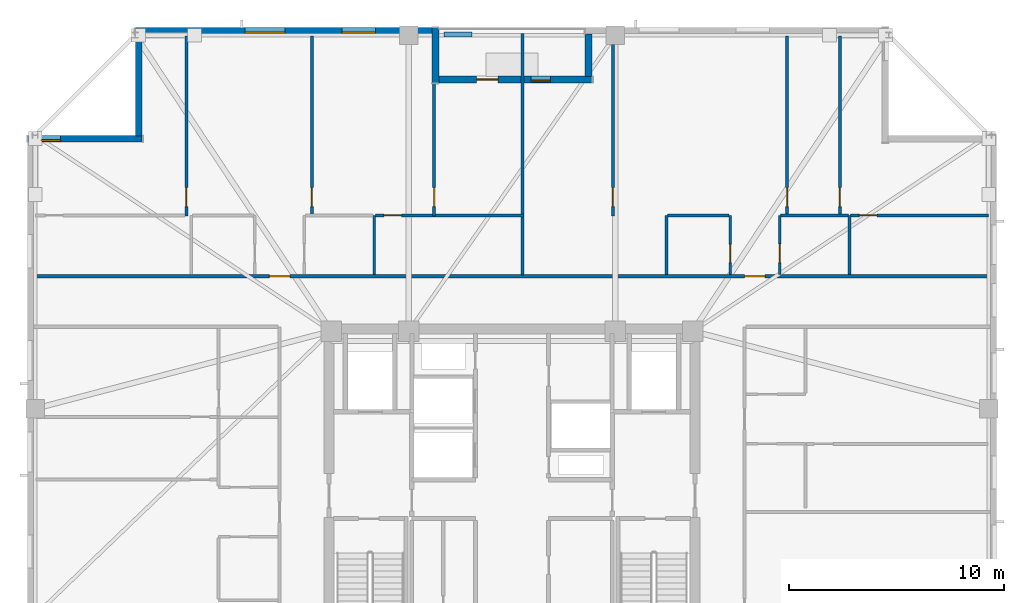
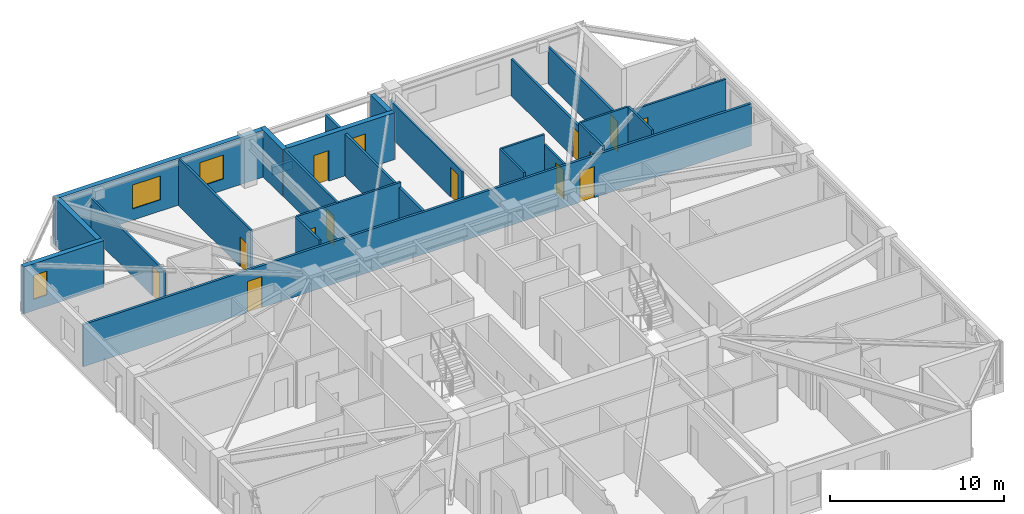
# One storey, part 11 of 17: 24 walls, 13 doors, 4 windows, 17 openings.
"""IFC4 building model written with IfcOpenShell, lengths in metres."""

from ifc_helpers import new_model, si_unit, direction, frame, frame_2d, origin, place, context, subcontext, project, spatial, rectangle, extrude, material, layer, layer_set, type_object, element, fill, save


model = new_model("IFC4")

# Units and contexts
model_context = context("Model", 3, precision=1e-05, world=origin(), true_north=direction((0.0, 1.0)))
body_context = subcontext(model_context, "Body", "Model", "MODEL_VIEW")
ifc_project = project(units=[si_unit("LENGTHUNIT", "METRE"), si_unit("AREAUNIT", "SQUARE_METRE"), si_unit("VOLUMEUNIT", "CUBIC_METRE"), si_unit("PLANEANGLEUNIT", "RADIAN"), si_unit("MASSUNIT", "GRAM", prefix="KILO")], contexts=[model_context])

# Site, building, storey
site_placement = place(None, origin())
site = spatial("IfcSite", under=ifc_project, at=site_placement, CompositionType="ELEMENT")
building_placement = place(site_placement, origin())
building = spatial("IfcBuilding", under=site, at=building_placement, Name="Cairnveth Concourse Tower", CompositionType="ELEMENT")
storey_placement = place(building_placement, frame((0.0, 0.0, 209.5)))
storey = spatial("IfcBuildingStorey", under=building, at=storey_placement, Name="L57", CompositionType="ELEMENT", Elevation=209.5)

# Wall, openings, doors
ifc_material_1 = material(Name="Gypsum Plasterboard Partition", Category="gypsum")
ifc_layer_1 = layer(ifc_material_1, 0.159912109375)
ifc_layer_set_1 = layer_set([ifc_layer_1], Name="Gypsum Plasterboard Partition")
wall_type_1 = type_object("IfcWallType", Name="ACOUSTIC PARTY WALL 180", PredefinedType="PARTITIONING", material=ifc_layer_set_1)
wall_1_placement = place(storey_placement, frame((29.804931640625, 49.949951171875, 0.0), z_axis=(0.0, 0.0, 1.0), x_axis=(1.0, 0.0, 0.0)))
wall_1 = element("IfcWall", 1, at=wall_1_placement, inside=storey, type_object=wall_type_1, Name="Interior Wall IW-L57-036", PredefinedType="PARTITIONING", context=body_context, shape_type="SweptSolid", body=[
    extrude(rectangle(XDim=44.39013671875, YDim=0.159912109375, at=frame_2d((22.195068359375, 0.0))), origin(), (0.0, 0.0, 1.0), 2.9580078125),
])
opening_1_placement = place(wall_1_placement, frame((10.918701171875, 0.0, 0.0)))
opening_1 = element("IfcOpeningElement", 2, at=opening_1_placement, cuts=wall_1, Name="Opening ID10", PredefinedType="OPENING", context=body_context, shape_type="SweptSolid", body=[
    extrude(rectangle(XDim=0.9599609375, YDim=2.179931640625, at=frame_2d((0.47998046875, 1.08984375))), frame((0.0, 0.08984375, 0.0), z_axis=(0.0, -1.0, 0.0), x_axis=(1.0, 0.0, 0.0)), (0.0, 0.0, 1.0), 0.179931640625),
])
opening_2_placement = place(wall_1_placement, frame((32.998779296875, 0.0, 0.0)))
opening_2 = element("IfcOpeningElement", 3, at=opening_2_placement, cuts=wall_1, Name="Opening ID10", PredefinedType="OPENING", context=body_context, shape_type="SweptSolid", body=[
    extrude(rectangle(XDim=0.9599609375, YDim=2.179931640625, at=frame_2d((0.47998046875, 1.08984375))), frame((0.0, 0.08984375, 0.0), z_axis=(0.0, -1.0, 0.0), x_axis=(1.0, 0.0, 0.0)), (0.0, 0.0, 1.0), 0.179931640625),
])
ifc_material_2 = material(Name="Solid Core Hardwood Timber Leaf", Category="wood")
door_type_1 = type_object("IfcDoorType", Name="FLAT ENTRANCE DOOR 960X2150", OperationType="NOTDEFINED", PredefinedType="DOOR", material=ifc_material_2)
door_1_placement = place(opening_1_placement, origin())
door_1 = element("IfcDoor", 4, at=door_1_placement, inside=storey, type_object=door_type_1, Name="Apartment L57N1 Entrance Door", OperationType="SINGLE_SWING_LEFT", OverallHeight=2.179931640625, OverallWidth=0.9599609375, PredefinedType="DOOR", context=body_context, shape_type="SweptSolid", body=[
    extrude(rectangle(XDim=0.9599609375, YDim=2.179931640625, at=frame_2d((0.47998046875, 1.08984375))), frame((0.0, 0.02490234375, 0.0), z_axis=(0.0, -1.0, 0.0), x_axis=(1.0, 0.0, 0.0)), (0.0, 0.0, 1.0), 0.050048828125),
])
fill(opening_1, door_1)
door_2_placement = place(opening_2_placement, origin())
door_2 = element("IfcDoor", 5, at=door_2_placement, inside=storey, type_object=door_type_1, Name="Apartment L57N2 Entrance Door", OperationType="SINGLE_SWING_RIGHT", OverallHeight=2.179931640625, OverallWidth=0.9599609375, PredefinedType="DOOR", context=body_context, shape_type="SweptSolid", body=[
    extrude(rectangle(XDim=0.9599609375, YDim=2.179931640625, at=frame_2d((0.47998046875, 1.08984375))), frame((0.0, 0.02490234375, 0.0), z_axis=(0.0, -1.0, 0.0), x_axis=(1.0, 0.0, 0.0)), (0.0, 0.0, 1.0), 0.050048828125),
])
fill(opening_2, door_2)

# Wall
wall_2_placement = place(storey_placement, frame((52.487548828125, 50.014892578125, 0.0), z_axis=(0.0, 0.0, 1.0), x_axis=(0.0, 1.0, 0.0)))
element("IfcWall", 6, at=wall_2_placement, inside=storey, type_object=wall_type_1, Name="Interior Wall IW-L57-077", PredefinedType="PARTITIONING", context=body_context, shape_type="SweptSolid", body=[
    extrude(rectangle(XDim=11.215087890625, YDim=0.159912109375, at=frame_2d((5.607421875, 0.0))), origin(), (0.0, 0.0, 1.0), 2.9580078125),
])

# Wall, opening, door
ifc_layer_2 = layer(ifc_material_1, 0.139892578125)
ifc_layer_set_2 = layer_set([ifc_layer_2], Name="Gypsum Plasterboard Partition")
wall_type_2 = type_object("IfcWallType", Name="GYPSUM STUD PARTITION 140", PredefinedType="PARTITIONING", material=ifc_layer_set_2)
wall_3_placement = place(storey_placement, frame((36.8701171875, 52.739990234375, 0.0), z_axis=(0.0, 0.0, 1.0), x_axis=(0.0, 1.0, 0.0)))
wall_3 = element("IfcWall", 7, at=wall_3_placement, inside=storey, type_object=wall_type_2, Name="Interior Wall IW-L57-072", PredefinedType="PARTITIONING", context=body_context, shape_type="SweptSolid", body=[
    extrude(rectangle(XDim=8.380126953125, YDim=0.139892578125, at=frame_2d((4.18994140625, 0.0))), origin(), (0.0, 0.0, 1.0), 2.572998046875),
])
opening_3_placement = place(wall_3_placement, frame((0.449951171875, 0.0, 0.0)))
opening_3 = element("IfcOpeningElement", 8, at=opening_3_placement, cuts=wall_3, Name="Opening ID18", PredefinedType="OPENING", context=body_context, shape_type="SweptSolid", body=[
    extrude(rectangle(XDim=0.8798828125, YDim=2.10009765625, at=frame_2d((0.43994140625, 1.050048828125))), frame((0.0, 0.079833984375, 0.0), z_axis=(0.0, -1.0, 0.0), x_axis=(1.0, 0.0, 0.0)), (0.0, 0.0, 1.0), 0.159912109375),
])
door_type_2 = type_object("IfcDoorType", Name="INTERIOR SINGLE DOOR 880X2100", OperationType="NOTDEFINED", PredefinedType="DOOR", material=ifc_material_2)
door_3_placement = place(opening_3_placement, origin())
door_3 = element("IfcDoor", 9, at=door_3_placement, inside=storey, type_object=door_type_2, Name="L57N1 Master Bedroom Door", OperationType="SINGLE_SWING_LEFT", OverallHeight=2.10009765625, OverallWidth=0.8798828125, PredefinedType="DOOR", context=body_context, shape_type="SweptSolid", body=[
    extrude(rectangle(XDim=0.8798828125, YDim=2.10009765625, at=frame_2d((0.43994140625, 1.050048828125))), frame((0.0, 0.02490234375, 0.0), z_axis=(0.0, -1.0, 0.0), x_axis=(1.0, 0.0, 0.0)), (0.0, 0.0, 1.0), 0.050048828125),
])
fill(opening_3, door_3)

wall_4_placement = place(storey_placement, frame((48.387451171875, 52.739990234375, 0.0), z_axis=(0.0, 0.0, 1.0), x_axis=(0.0, 1.0, 0.0)))
wall_4 = element("IfcWall", 10, at=wall_4_placement, inside=storey, type_object=wall_type_2, Name="Interior Wall IW-L57-074", PredefinedType="PARTITIONING", context=body_context, shape_type="SweptSolid", body=[
    extrude(rectangle(XDim=6.199951171875, YDim=0.139892578125, at=frame_2d((3.10009765625, 0.0))), origin(), (0.0, 0.0, 1.0), 3.2900390625),
])
opening_4_placement = place(wall_4_placement, frame((0.449951171875, 0.0, 0.0)))
opening_4 = element("IfcOpeningElement", 11, at=opening_4_placement, cuts=wall_4, Name="Opening ID18", PredefinedType="OPENING", context=body_context, shape_type="SweptSolid", body=[
    extrude(rectangle(XDim=0.8798828125, YDim=2.10009765625, at=frame_2d((0.43994140625, 1.050048828125))), frame((0.0, 0.079833984375, 0.0), z_axis=(0.0, -1.0, 0.0), x_axis=(1.0, 0.0, 0.0)), (0.0, 0.0, 1.0), 0.159912109375),
])
door_4_placement = place(opening_4_placement, origin())
door_4 = element("IfcDoor", 12, at=door_4_placement, inside=storey, type_object=door_type_2, Name="L57N1 Bedroom 2 Door", OperationType="SINGLE_SWING_LEFT", OverallHeight=2.10009765625, OverallWidth=0.8798828125, PredefinedType="DOOR", context=body_context, shape_type="SweptSolid", body=[
    extrude(rectangle(XDim=0.8798828125, YDim=2.10009765625, at=frame_2d((0.43994140625, 1.050048828125))), frame((0.0, 0.02490234375, 0.0), z_axis=(0.0, -1.0, 0.0), x_axis=(1.0, 0.0, 0.0)), (0.0, 0.0, 1.0), 0.050048828125),
])
fill(opening_4, door_4)

wall_5_placement = place(storey_placement, frame((45.65380859375, 52.780029296875, 0.0), z_axis=(0.0, 0.0, 1.0), x_axis=(1.0, 0.0, 0.0)))
wall_5 = element("IfcWall", 13, at=wall_5_placement, inside=storey, type_object=wall_type_2, Name="Interior Wall IW-L57-075", PredefinedType="PARTITIONING", context=body_context, shape_type="SweptSolid", body=[
    extrude(rectangle(XDim=6.8837890625, YDim=0.139892578125, at=frame_2d((3.44189453125, 0.0))), origin(), (0.0, 0.0, 1.0), 3.2900390625),
])
opening_5_placement = place(wall_5_placement, frame((0.39990234375, 0.0, 0.0)))
opening_5 = element("IfcOpeningElement", 14, at=opening_5_placement, cuts=wall_5, Name="Opening ID22", PredefinedType="OPENING", context=body_context, shape_type="SweptSolid", body=[
    extrude(rectangle(XDim=0.820068359375, YDim=2.10009765625, at=frame_2d((0.41015625, 1.050048828125))), frame((0.0, 0.079833984375, 0.0), z_axis=(0.0, -1.0, 0.0), x_axis=(1.0, 0.0, 0.0)), (0.0, 0.0, 1.0), 0.159912109375),
])
door_type_3 = type_object("IfcDoorType", Name="INTERIOR WC DOOR 820X2100", OperationType="NOTDEFINED", PredefinedType="DOOR", material=ifc_material_2)
door_5_placement = place(opening_5_placement, origin())
door_5 = element("IfcDoor", 15, at=door_5_placement, inside=storey, type_object=door_type_3, Name="L57N1 Utility Door", OperationType="SINGLE_SWING_RIGHT", OverallHeight=2.10009765625, OverallWidth=0.820068359375, PredefinedType="DOOR", context=body_context, shape_type="SweptSolid", body=[
    extrude(rectangle(XDim=0.820068359375, YDim=2.10009765625, at=frame_2d((0.41015625, 1.050048828125))), frame((0.0, 0.02490234375, 0.0), z_axis=(0.0, -1.0, 0.0), x_axis=(1.0, 0.0, 0.0)), (0.0, 0.0, 1.0), 0.050048828125),
])
fill(opening_5, door_5)

wall_6_placement = place(storey_placement, frame((42.70361328125, 52.830078125, 0.0), z_axis=(0.0, 0.0, 1.0), x_axis=(0.0, 1.0, 0.0)))
wall_6 = element("IfcWall", 16, at=wall_6_placement, inside=storey, type_object=wall_type_2, Name="Interior Wall IW-L57-076", PredefinedType="PARTITIONING", context=body_context, shape_type="SweptSolid", body=[
    extrude(rectangle(XDim=8.2900390625, YDim=0.139892578125, at=frame_2d((4.14501953125, 0.0))), origin(), (0.0, 0.0, 1.0), 3.2900390625),
])
opening_6_placement = place(wall_6_placement, frame((0.360107421875, 0.0, 0.0)))
opening_6 = element("IfcOpeningElement", 17, at=opening_6_placement, cuts=wall_6, Name="Opening ID18", PredefinedType="OPENING", context=body_context, shape_type="SweptSolid", body=[
    extrude(rectangle(XDim=0.8798828125, YDim=2.10009765625, at=frame_2d((0.43994140625, 1.050048828125))), frame((0.0, 0.079833984375, 0.0), z_axis=(0.0, -1.0, 0.0), x_axis=(1.0, 0.0, 0.0)), (0.0, 0.0, 1.0), 0.159912109375),
])
door_6_placement = place(opening_6_placement, origin())
door_6 = element("IfcDoor", 18, at=door_6_placement, inside=storey, type_object=door_type_2, Name="L57N1 Media Lounge Door", OperationType="SINGLE_SWING_RIGHT", OverallHeight=2.10009765625, OverallWidth=0.8798828125, PredefinedType="DOOR", context=body_context, shape_type="SweptSolid", body=[
    extrude(rectangle(XDim=0.8798828125, YDim=2.10009765625, at=frame_2d((0.43994140625, 1.050048828125))), frame((0.0, 0.02490234375, 0.0), z_axis=(0.0, -1.0, 0.0), x_axis=(1.0, 0.0, 0.0)), (0.0, 0.0, 1.0), 0.050048828125),
])
fill(opening_6, door_6)

wall_7_placement = place(storey_placement, frame((56.6875, 52.739990234375, 0.0), z_axis=(0.0, 0.0, 1.0), x_axis=(0.0, 1.0, 0.0)))
wall_7 = element("IfcWall", 19, at=wall_7_placement, inside=storey, type_object=wall_type_2, Name="Interior Wall IW-L57-084", PredefinedType="PARTITIONING", context=body_context, shape_type="SweptSolid", body=[
    extrude(rectangle(XDim=8.380126953125, YDim=0.139892578125, at=frame_2d((4.18994140625, 0.0))), origin(), (0.0, 0.0, 1.0), 2.572998046875),
])
opening_7_placement = place(wall_7_placement, frame((0.449951171875, 0.0, 0.0)))
opening_7 = element("IfcOpeningElement", 20, at=opening_7_placement, cuts=wall_7, Name="Opening ID18", PredefinedType="OPENING", context=body_context, shape_type="SweptSolid", body=[
    extrude(rectangle(XDim=0.8798828125, YDim=2.10009765625, at=frame_2d((0.43994140625, 1.050048828125))), frame((0.0, 0.079833984375, 0.0), z_axis=(0.0, -1.0, 0.0), x_axis=(1.0, 0.0, 0.0)), (0.0, 0.0, 1.0), 0.159912109375),
])
door_7_placement = place(opening_7_placement, origin())
door_7 = element("IfcDoor", 21, at=door_7_placement, inside=storey, type_object=door_type_2, Name="L57N2 Master Bedroom Door", OperationType="SINGLE_SWING_RIGHT", OverallHeight=2.10009765625, OverallWidth=0.8798828125, PredefinedType="DOOR", context=body_context, shape_type="SweptSolid", body=[
    extrude(rectangle(XDim=0.8798828125, YDim=2.10009765625, at=frame_2d((0.43994140625, 1.050048828125))), frame((0.0, 0.02490234375, 0.0), z_axis=(0.0, -1.0, 0.0), x_axis=(1.0, 0.0, 0.0)), (0.0, 0.0, 1.0), 0.050048828125),
])
fill(opening_7, door_7)

wall_8_placement = place(storey_placement, frame((67.22998046875, 52.830078125, 0.0), z_axis=(0.0, 0.0, 1.0), x_axis=(0.0, 1.0, 0.0)))
wall_8 = element("IfcWall", 22, at=wall_8_placement, inside=storey, type_object=wall_type_2, Name="Interior Wall IW-L57-085", PredefinedType="PARTITIONING", context=body_context, shape_type="SweptSolid", body=[
    extrude(rectangle(XDim=8.2900390625, YDim=0.139892578125, at=frame_2d((4.14501953125, 0.0))), origin(), (0.0, 0.0, 1.0), 2.572998046875),
])
opening_8_placement = place(wall_8_placement, frame((0.360107421875, 0.0, 0.0)))
opening_8 = element("IfcOpeningElement", 23, at=opening_8_placement, cuts=wall_8, Name="Opening ID18", PredefinedType="OPENING", context=body_context, shape_type="SweptSolid", body=[
    extrude(rectangle(XDim=0.8798828125, YDim=2.10009765625, at=frame_2d((0.43994140625, 1.050048828125))), frame((0.0, 0.079833984375, 0.0), z_axis=(0.0, -1.0, 0.0), x_axis=(1.0, 0.0, 0.0)), (0.0, 0.0, 1.0), 0.159912109375),
])
door_8_placement = place(opening_8_placement, origin())
door_8 = element("IfcDoor", 24, at=door_8_placement, inside=storey, type_object=door_type_2, Name="L57N2 Bedroom 2 Door", OperationType="SINGLE_SWING_RIGHT", OverallHeight=2.10009765625, OverallWidth=0.8798828125, PredefinedType="DOOR", context=body_context, shape_type="SweptSolid", body=[
    extrude(rectangle(XDim=0.8798828125, YDim=2.10009765625, at=frame_2d((0.43994140625, 1.050048828125))), frame((0.0, 0.02490234375, 0.0), z_axis=(0.0, -1.0, 0.0), x_axis=(1.0, 0.0, 0.0)), (0.0, 0.0, 1.0), 0.050048828125),
])
fill(opening_8, door_8)

wall_9_placement = place(storey_placement, frame((67.73388671875, 52.780029296875, 0.0), z_axis=(0.0, 0.0, 1.0), x_axis=(1.0, 0.0, 0.0)))
wall_9 = element("IfcWall", 25, at=wall_9_placement, inside=storey, type_object=wall_type_2, Name="Interior Wall IW-L57-086", PredefinedType="PARTITIONING", context=body_context, shape_type="SweptSolid", body=[
    extrude(rectangle(XDim=6.39599609375, YDim=0.139892578125, at=frame_2d((3.197998046875, 0.0))), origin(), (0.0, 0.0, 1.0), 2.9580078125),
])
opening_9_placement = place(wall_9_placement, frame((0.39990234375, 0.0, 0.0)))
opening_9 = element("IfcOpeningElement", 26, at=opening_9_placement, cuts=wall_9, Name="Opening ID22", PredefinedType="OPENING", context=body_context, shape_type="SweptSolid", body=[
    extrude(rectangle(XDim=0.820068359375, YDim=2.10009765625, at=frame_2d((0.41015625, 1.050048828125))), frame((0.0, 0.079833984375, 0.0), z_axis=(0.0, -1.0, 0.0), x_axis=(1.0, 0.0, 0.0)), (0.0, 0.0, 1.0), 0.159912109375),
])
door_9_placement = place(opening_9_placement, origin())
door_9 = element("IfcDoor", 27, at=door_9_placement, inside=storey, type_object=door_type_3, Name="L57N2 Utility Door", OperationType="SINGLE_SWING_LEFT", OverallHeight=2.10009765625, OverallWidth=0.820068359375, PredefinedType="DOOR", context=body_context, shape_type="SweptSolid", body=[
    extrude(rectangle(XDim=0.820068359375, YDim=2.10009765625, at=frame_2d((0.41015625, 1.050048828125))), frame((0.0, 0.02490234375, 0.0), z_axis=(0.0, -1.0, 0.0), x_axis=(1.0, 0.0, 0.0)), (0.0, 0.0, 1.0), 0.050048828125),
])
fill(opening_9, door_9)

wall_10_placement = place(storey_placement, frame((64.78369140625, 52.830078125, 0.0), z_axis=(0.0, 0.0, 1.0), x_axis=(0.0, 1.0, 0.0)))
wall_10 = element("IfcWall", 28, at=wall_10_placement, inside=storey, type_object=wall_type_2, Name="Interior Wall IW-L57-087", PredefinedType="PARTITIONING", context=body_context, shape_type="SweptSolid", body=[
    extrude(rectangle(XDim=8.2900390625, YDim=0.139892578125, at=frame_2d((4.14501953125, 0.0))), origin(), (0.0, 0.0, 1.0), 2.572998046875),
])
opening_10_placement = place(wall_10_placement, frame((0.360107421875, 0.0, 0.0)))
opening_10 = element("IfcOpeningElement", 29, at=opening_10_placement, cuts=wall_10, Name="Opening ID18", PredefinedType="OPENING", context=body_context, shape_type="SweptSolid", body=[
    extrude(rectangle(XDim=0.8798828125, YDim=2.10009765625, at=frame_2d((0.43994140625, 1.050048828125))), frame((0.0, 0.079833984375, 0.0), z_axis=(0.0, -1.0, 0.0), x_axis=(1.0, 0.0, 0.0)), (0.0, 0.0, 1.0), 0.159912109375),
])
door_10_placement = place(opening_10_placement, origin())
door_10 = element("IfcDoor", 30, at=door_10_placement, inside=storey, type_object=door_type_2, Name="L57N2 Media Lounge Door", OperationType="SINGLE_SWING_LEFT", OverallHeight=2.10009765625, OverallWidth=0.8798828125, PredefinedType="DOOR", context=body_context, shape_type="SweptSolid", body=[
    extrude(rectangle(XDim=0.8798828125, YDim=2.10009765625, at=frame_2d((0.43994140625, 1.050048828125))), frame((0.0, 0.02490234375, 0.0), z_axis=(0.0, -1.0, 0.0), x_axis=(1.0, 0.0, 0.0)), (0.0, 0.0, 1.0), 0.050048828125),
])
fill(opening_10, door_10)

# Walls
ifc_material_3 = material(Name="Dressed Melbourne Bluestone Cladding", Category="masonry")
ifc_layer_3 = layer(ifc_material_3, 0.219970703125)
ifc_layer_set_3 = layer_set([ifc_layer_3], Name="Dressed Melbourne Bluestone Cladding")
wall_type_3 = type_object("IfcWallType", Name="TERRACE PLANTER CURB WALL 220", PredefinedType="PARAPET", material=ifc_layer_set_3)
wall_11_placement = place(storey_placement, frame((48.85009765625, 61.179931640625, 0.0), z_axis=(0.0, 0.0, 1.0), x_axis=(1.0, 0.0, 0.0)))
element("IfcWall", 31, at=wall_11_placement, inside=storey, type_object=wall_type_3, Name="Exterior Wall PLNT-L57-TERR", PredefinedType="PARAPET", context=body_context, shape_type="SweptSolid", body=[
    extrude(rectangle(XDim=1.2998046875, YDim=0.219970703125, at=frame_2d((0.64990234375, 0.0))), origin(), (0.0, 0.0, 1.0), 0.550048828125),
])
ifc_layer_4 = layer(ifc_material_1, 0.1298828125)
ifc_layer_set_4 = layer_set([ifc_layer_4], Name="Gypsum Plasterboard Partition")
wall_type_4 = type_object("IfcWallType", Name="WET AREA PARTITION 140", PredefinedType="PLUMBINGWALL", material=ifc_layer_set_4)
for number, where, z_axis, x_axis, name in (
    (32, (45.603759765625, 50.030029296875, 0.0), (0.0, 0.0, 1.0), (0.0, 1.0, 0.0), "Interior Wall IW-L57-069"),
    (33, (59.18359375, 50.030029296875, 0.0), (0.0, 0.0, 1.0), (0.0, 1.0, 0.0), "Interior Wall IW-L57-078"),
):
    element("IfcWall", number, at=place(storey_placement, frame(where, z_axis=z_axis, x_axis=x_axis)), inside=storey, type_object=wall_type_4, Name=name, PredefinedType="PLUMBINGWALL", context=body_context, shape_type="SweptSolid", body=[
        extrude(rectangle(XDim=2.75, YDim=0.1298828125, at=frame_2d((1.375, 0.0))), origin(), (0.0, 0.0, 1.0), 3.2900390625),
    ])

# Wall, opening, door
wall_12_placement = place(storey_placement, frame((62.1337890625, 50.030029296875, 0.0), z_axis=(0.0, 0.0, 1.0), x_axis=(0.0, 1.0, 0.0)))
wall_12 = element("IfcWall", 34, at=wall_12_placement, inside=storey, type_object=wall_type_4, Name="Interior Wall IW-L57-079", PredefinedType="PLUMBINGWALL", context=body_context, shape_type="SweptSolid", body=[
    extrude(rectangle(XDim=2.75, YDim=0.1298828125, at=frame_2d((1.375, 0.0))), origin(), (0.0, 0.0, 1.0), 2.572998046875),
])
opening_11_placement = place(wall_12_placement, frame((0.550048828125, 0.0, 0.0)))
opening_11 = element("IfcOpeningElement", 35, at=opening_11_placement, cuts=wall_12, Name="Opening ID21", PredefinedType="OPENING", context=body_context, shape_type="SweptSolid", body=[
    extrude(rectangle(XDim=0.85009765625, YDim=2.080078125, at=frame_2d((0.425048828125, 1.0400390625))), frame((0.0, 0.074951171875, 0.0), z_axis=(0.0, -1.0, 0.0), x_axis=(1.0, 0.0, 0.0)), (0.0, 0.0, 1.0), 0.14990234375),
])
door_type_4 = type_object("IfcDoorType", Name="INTERIOR WC DOOR 850X2100", OperationType="NOTDEFINED", PredefinedType="DOOR", material=ifc_material_2)
door_11_placement = place(opening_11_placement, origin())
door_11 = element("IfcDoor", 36, at=door_11_placement, inside=storey, type_object=door_type_4, Name="L57N2 Bathroom Door", OperationType="SINGLE_SWING_RIGHT", OverallHeight=2.080078125, OverallWidth=0.85009765625, PredefinedType="DOOR", context=body_context, shape_type="SweptSolid", body=[
    extrude(rectangle(XDim=0.85009765625, YDim=2.080078125, at=frame_2d((0.425048828125, 1.0400390625))), frame((0.0, 0.02490234375, 0.0), z_axis=(0.0, -1.0, 0.0), x_axis=(1.0, 0.0, 0.0)), (0.0, 0.0, 1.0), 0.050048828125),
])
fill(opening_11, door_11)

# Walls
wall_13_placement = place(storey_placement, frame((59.233642578125, 52.780029296875, 0.0), z_axis=(0.0, 0.0, 1.0), x_axis=(1.0, 0.0, 0.0)))
element("IfcWall", 37, at=wall_13_placement, inside=storey, type_object=wall_type_4, Name="Interior Wall IW-L57-080", PredefinedType="PLUMBINGWALL", context=body_context, shape_type="SweptSolid", body=[
    extrude(rectangle(XDim=2.85009765625, YDim=0.1298828125, at=frame_2d((1.425048828125, 0.0))), origin(), (0.0, 0.0, 1.0), 3.2900390625),
])
wall_14_placement = place(storey_placement, frame((67.683837890625, 50.030029296875, 0.0), z_axis=(0.0, 0.0, 1.0), x_axis=(0.0, 1.0, 0.0)))
element("IfcWall", 38, at=wall_14_placement, inside=storey, type_object=wall_type_4, Name="Interior Wall IW-L57-081", PredefinedType="PLUMBINGWALL", context=body_context, shape_type="SweptSolid", body=[
    extrude(rectangle(XDim=2.75, YDim=0.1298828125, at=frame_2d((1.375, 0.0))), origin(), (0.0, 0.0, 1.0), 3.2900390625),
])

# Wall, opening, door
wall_15_placement = place(storey_placement, frame((64.433837890625, 50.030029296875, 0.0), z_axis=(0.0, 0.0, 1.0), x_axis=(0.0, 1.0, 0.0)))
wall_15 = element("IfcWall", 39, at=wall_15_placement, inside=storey, type_object=wall_type_4, Name="Interior Wall IW-L57-082", PredefinedType="PLUMBINGWALL", context=body_context, shape_type="SweptSolid", body=[
    extrude(rectangle(XDim=2.75, YDim=0.1298828125, at=frame_2d((1.375, 0.0))), origin(), (0.0, 0.0, 1.0), 3.2900390625),
])
opening_12_placement = place(wall_15_placement, frame((0.550048828125, 0.0, 0.0)))
opening_12 = element("IfcOpeningElement", 40, at=opening_12_placement, cuts=wall_15, Name="Opening ID18", PredefinedType="OPENING", context=body_context, shape_type="SweptSolid", body=[
    extrude(rectangle(XDim=0.8798828125, YDim=2.10009765625, at=frame_2d((0.43994140625, 1.050048828125))), frame((0.0, 0.074951171875, 0.0), z_axis=(0.0, -1.0, 0.0), x_axis=(1.0, 0.0, 0.0)), (0.0, 0.0, 1.0), 0.14990234375),
])
door_12_placement = place(opening_12_placement, origin())
door_12 = element("IfcDoor", 41, at=door_12_placement, inside=storey, type_object=door_type_2, Name="L57N2 Kitchen Door", OperationType="SINGLE_SWING_LEFT", OverallHeight=2.10009765625, OverallWidth=0.8798828125, PredefinedType="DOOR", context=body_context, shape_type="SweptSolid", body=[
    extrude(rectangle(XDim=0.8798828125, YDim=2.10009765625, at=frame_2d((0.43994140625, 1.050048828125))), frame((0.0, 0.02490234375, 0.0), z_axis=(0.0, -1.0, 0.0), x_axis=(1.0, 0.0, 0.0)), (0.0, 0.0, 1.0), 0.050048828125),
])
fill(opening_12, door_12)

# Wall
wall_16_placement = place(storey_placement, frame((64.48388671875, 52.780029296875, 0.0), z_axis=(0.0, 0.0, 1.0), x_axis=(1.0, 0.0, 0.0)))
element("IfcWall", 42, at=wall_16_placement, inside=storey, type_object=wall_type_4, Name="Interior Wall IW-L57-083", PredefinedType="PLUMBINGWALL", context=body_context, shape_type="SweptSolid", body=[
    extrude(rectangle(XDim=3.14990234375, YDim=0.1298828125, at=frame_2d((1.574951171875, 0.0))), origin(), (0.0, 0.0, 1.0), 3.2900390625),
])

# Wall, opening, window
ifc_material_4 = material(Name="Melbourne Buff Fired Clay Brick Masonry", Category="masonry")
ifc_layer_5 = layer(ifc_material_4, 0.320068359375)
ifc_layer_set_5 = layer_set([ifc_layer_5], Name="Melbourne Buff Fired Clay Brick Masonry")
wall_type_5 = type_object("IfcWallType", Name="ZONE 3 BRICK PIER SPANDREL WALL 320", PredefinedType="SOLIDWALL", material=ifc_layer_set_5)
wall_17_placement = place(storey_placement, frame((29.5, 56.340087890625, 0.0), z_axis=(0.0, 0.0, 1.0), x_axis=(1.0, 0.0, 0.0)))
wall_17 = element("IfcWall", 43, at=wall_17_placement, inside=storey, type_object=wall_type_5, Name="Exterior Wall EW-L57-S10", PredefinedType="SOLIDWALL", context=body_context, shape_type="SweptSolid", body=[
    extrude(rectangle(XDim=5.320068359375, YDim=0.320068359375, at=frame_2d((2.66015625, 0.0))), origin(), (0.0, 0.0, 1.0), 3.2900390625),
])
opening_13_placement = place(wall_17_placement, frame((0.6298828125, 0.0, 0.800048828125)))
opening_13 = element("IfcOpeningElement", 44, at=opening_13_placement, cuts=wall_17, Name="Opening W13", PredefinedType="OPENING", context=body_context, shape_type="SweptSolid", body=[
    extrude(rectangle(XDim=0.89990234375, YDim=1.677978515625, at=frame_2d((0.449951171875, 0.8388671875))), frame((0.0, 0.169921875, 0.0), z_axis=(0.0, -1.0, 0.0), x_axis=(1.0, 0.0, 0.0)), (0.0, 0.0, 1.0), 0.340087890625),
])
ifc_material_5 = material(Name="Double Glazed Low-E Clear Glass", Category="glass")
window_type_1 = type_object("IfcWindowType", Name="DEEP-SET BEDROOM LANCET WINDOW 900X1750", PartitioningType="DOUBLE_PANEL_VERTICAL", PredefinedType="WINDOW", material=ifc_material_5)
window_1_placement = place(opening_13_placement, origin())
window_1 = element("IfcWindow", 45, at=window_1_placement, inside=storey, type_object=window_type_1, Name="Dwelling Lancet Window L57-DW3", OverallHeight=1.677978515625, OverallWidth=0.89990234375, PartitioningType="SINGLE_PANEL", PredefinedType="WINDOW", context=body_context, shape_type="SweptSolid", body=[
    extrude(rectangle(XDim=0.89990234375, YDim=1.677978515625, at=frame_2d((0.449951171875, 0.8388671875))), frame((0.0, -0.0400390625, 0.0), z_axis=(0.0, -1.0, 0.0), x_axis=(1.0, 0.0, 0.0)), (0.0, 0.0, 1.0), 0.06005859375),
])
fill(opening_13, window_1)

# Wall
wall_18_placement = place(storey_placement, frame((34.659912109375, 56.47802734375, 0.0), z_axis=(0.0, 0.0, 1.0), x_axis=(0.0, 1.0, 0.0)))
element("IfcWall", 46, at=wall_18_placement, inside=storey, type_object=wall_type_5, Name="Exterior Wall EW-L57-S11", PredefinedType="SOLIDWALL", context=body_context, shape_type="SweptSolid", body=[
    extrude(rectangle(XDim=4.723876953125, YDim=0.320068359375, at=frame_2d((2.36181640625, 0.0))), origin(), (0.0, 0.0, 1.0), 3.2900390625),
])

# Wall, openings, windows
wall_19_placement = place(storey_placement, frame((34.5, 61.340087890625, 0.0), z_axis=(0.0, 0.0, 1.0), x_axis=(1.0, 0.0, 0.0)))
wall_19 = element("IfcWall", 47, at=wall_19_placement, inside=storey, type_object=wall_type_5, Name="Exterior Wall EW-L57-S12", PredefinedType="SOLIDWALL", context=body_context, shape_type="SweptSolid", body=[
    extrude(rectangle(XDim=13.802001953125, YDim=0.320068359375, at=frame_2d((6.90087890625, 0.0))), origin(), (0.0, 0.0, 1.0), 3.2900390625),
])
opening_14_placement = place(wall_19_placement, frame((5.1005859375, 0.0, 0.800048828125)))
opening_14 = element("IfcOpeningElement", 48, at=opening_14_placement, cuts=wall_19, Name="Opening W08", PredefinedType="OPENING", context=body_context, shape_type="SweptSolid", body=[
    extrude(rectangle(XDim=1.85009765625, YDim=1.677978515625, at=frame_2d((0.925048828125, 0.8388671875))), frame((0.0, 0.169921875, 0.0), z_axis=(0.0, -1.0, 0.0), x_axis=(1.0, 0.0, 0.0)), (0.0, 0.0, 1.0), 0.340087890625),
])
opening_15_placement = place(wall_19_placement, frame((9.6015625, 0.0, 0.800048828125)))
opening_15 = element("IfcOpeningElement", 49, at=opening_15_placement, cuts=wall_19, Name="Opening W07", PredefinedType="OPENING", context=body_context, shape_type="SweptSolid", body=[
    extrude(rectangle(XDim=1.550048828125, YDim=1.677978515625, at=frame_2d((0.77490234375, 0.8388671875))), frame((0.0, 0.169921875, 0.0), z_axis=(0.0, -1.0, 0.0), x_axis=(1.0, 0.0, 0.0)), (0.0, 0.0, 1.0), 0.340087890625),
])
window_type_2 = type_object("IfcWindowType", Name="DEEP-SET APARTMENT LIVING WINDOW 1850X1850", PartitioningType="DOUBLE_PANEL_VERTICAL", PredefinedType="WINDOW", material=ifc_material_5)
window_2_placement = place(opening_14_placement, origin())
window_2 = element("IfcWindow", 50, at=window_2_placement, inside=storey, type_object=window_type_2, Name="Gothic Lancet Window L57-12-1", OverallHeight=1.677978515625, OverallWidth=1.85009765625, PartitioningType="SINGLE_PANEL", PredefinedType="WINDOW", context=body_context, shape_type="SweptSolid", body=[
    extrude(rectangle(XDim=1.85009765625, YDim=1.677978515625, at=frame_2d((0.925048828125, 0.8388671875))), frame((0.0, -0.050048828125, 0.0), z_axis=(0.0, -1.0, 0.0), x_axis=(1.0, 0.0, 0.0)), (0.0, 0.0, 1.0), 0.06005859375),
])
fill(opening_14, window_2)
window_type_3 = type_object("IfcWindowType", Name="DEEP-SET APARTMENT WINDOW 1550X1800", PartitioningType="DOUBLE_PANEL_VERTICAL", PredefinedType="WINDOW", material=ifc_material_5)
window_3_placement = place(opening_15_placement, origin())
window_3 = element("IfcWindow", 51, at=window_3_placement, inside=storey, type_object=window_type_3, Name="Gothic Lancet Window L57-12-2", OverallHeight=1.677978515625, OverallWidth=1.550048828125, PartitioningType="SINGLE_PANEL", PredefinedType="WINDOW", context=body_context, shape_type="SweptSolid", body=[
    extrude(rectangle(XDim=1.550048828125, YDim=1.677978515625, at=frame_2d((0.77490234375, 0.8388671875))), frame((0.0, -0.050048828125, 0.0), z_axis=(0.0, -1.0, 0.0), x_axis=(1.0, 0.0, 0.0)), (0.0, 0.0, 1.0), 0.06005859375),
])
fill(opening_15, window_3)

# Wall
wall_20_placement = place(storey_placement, frame((48.43994140625, 61.5, 0.0), z_axis=(0.0, 0.0, 1.0), x_axis=(0.0, -1.0, 0.0)))
element("IfcWall", 52, at=wall_20_placement, inside=storey, type_object=wall_type_5, Name="Exterior Wall EW-L57-S13", PredefinedType="SOLIDWALL", context=body_context, shape_type="SweptSolid", body=[
    extrude(rectangle(XDim=2.570068359375, YDim=0.320068359375, at=frame_2d((1.28515625, 0.0))), origin(), (0.0, 0.0, 1.0), 3.2900390625),
])

# Wall, openings, window, door
wall_21_placement = place(storey_placement, frame((48.577880859375, 59.090087890625, 0.0), z_axis=(0.0, 0.0, 1.0), x_axis=(1.0, 0.0, 0.0)))
wall_21 = element("IfcWall", 53, at=wall_21_placement, inside=storey, type_object=wall_type_5, Name="Exterior Wall EW-L57-S14", PredefinedType="SOLIDWALL", context=body_context, shape_type="SweptSolid", body=[
    extrude(rectangle(XDim=7.14208984375, YDim=0.320068359375, at=frame_2d((3.571044921875, 0.0))), origin(), (0.0, 0.0, 1.0), 3.2900390625),
])
opening_16_placement = place(wall_21_placement, frame((1.77978515625, 0.0, 0.0)))
opening_16 = element("IfcOpeningElement", 54, at=opening_16_placement, cuts=wall_21, Name="Opening ED4", PredefinedType="OPENING", context=body_context, shape_type="SweptSolid", body=[
    extrude(rectangle(XDim=1.0, YDim=2.14990234375, at=frame_2d((0.5, 1.074951171875))), frame((0.0, 0.169921875, 0.0), z_axis=(0.0, -1.0, 0.0), x_axis=(1.0, 0.0, 0.0)), (0.0, 0.0, 1.0), 0.340087890625),
])
opening_17_placement = place(wall_21_placement, frame((4.31005859375, 0.0, 0.800048828125)))
opening_17 = element("IfcOpeningElement", 55, at=opening_17_placement, cuts=wall_21, Name="Opening W13", PredefinedType="OPENING", context=body_context, shape_type="SweptSolid", body=[
    extrude(rectangle(XDim=0.89990234375, YDim=1.677978515625, at=frame_2d((0.449951171875, 0.8388671875))), frame((0.0, 0.169921875, 0.0), z_axis=(0.0, -1.0, 0.0), x_axis=(1.0, 0.0, 0.0)), (0.0, 0.0, 1.0), 0.340087890625),
])
window_4_placement = place(opening_17_placement, origin())
window_4 = element("IfcWindow", 56, at=window_4_placement, inside=storey, type_object=window_type_1, Name="Dwelling Lancet Window L57-DW4", OverallHeight=1.677978515625, OverallWidth=0.89990234375, PartitioningType="SINGLE_PANEL", PredefinedType="WINDOW", context=body_context, shape_type="SweptSolid", body=[
    extrude(rectangle(XDim=0.89990234375, YDim=1.677978515625, at=frame_2d((0.449951171875, 0.8388671875))), frame((0.0, -0.0400390625, 0.0), z_axis=(0.0, -1.0, 0.0), x_axis=(1.0, 0.0, 0.0)), (0.0, 0.0, 1.0), 0.06005859375),
])
fill(opening_17, window_4)
ifc_material_6 = material(Name="Architectural Bronze Anodised Aluminium 6063-T6", Category="aluminium")
door_type_5 = type_object("IfcDoorType", Name="TERRACE GLAZED DOOR 1000X2150", OperationType="NOTDEFINED", PredefinedType="DOOR", material=ifc_material_6)
door_13_placement = place(opening_16_placement, origin())
door_13 = element("IfcDoor", 57, at=door_13_placement, inside=storey, type_object=door_type_5, Name="Spiral Terrace Door L57", OperationType="SINGLE_SWING_RIGHT", OverallHeight=2.14990234375, OverallWidth=1.0, PredefinedType="DOOR", context=body_context, shape_type="SweptSolid", body=[
    extrude(rectangle(XDim=1.0, YDim=2.14990234375, at=frame_2d((0.5, 1.074951171875))), frame((0.0, 0.02490234375, 0.0), z_axis=(0.0, -1.0, 0.0), x_axis=(1.0, 0.0, 0.0)), (0.0, 0.0, 1.0), 0.050048828125),
])
fill(opening_16, door_13)

# Wall
wall_22_placement = place(storey_placement, frame((55.56005859375, 59.22802734375, 0.0), z_axis=(0.0, 0.0, 1.0), x_axis=(0.0, 1.0, 0.0)))
element("IfcWall", 58, at=wall_22_placement, inside=storey, type_object=wall_type_5, Name="Exterior Wall EW-L57-S15", PredefinedType="SOLIDWALL", context=body_context, shape_type="SweptSolid", body=[
    extrude(rectangle(XDim=1.973876953125, YDim=0.320068359375, at=frame_2d((0.98681640625, 0.0))), origin(), (0.0, 0.0, 1.0), 3.2900390625),
])

save(model, "model.ifc")
